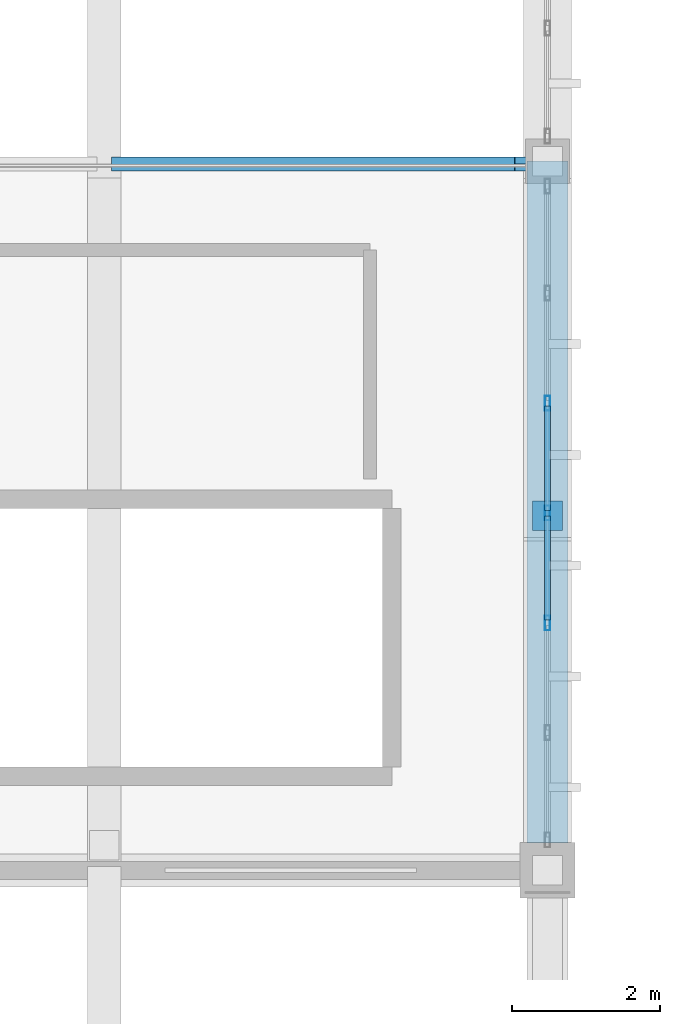
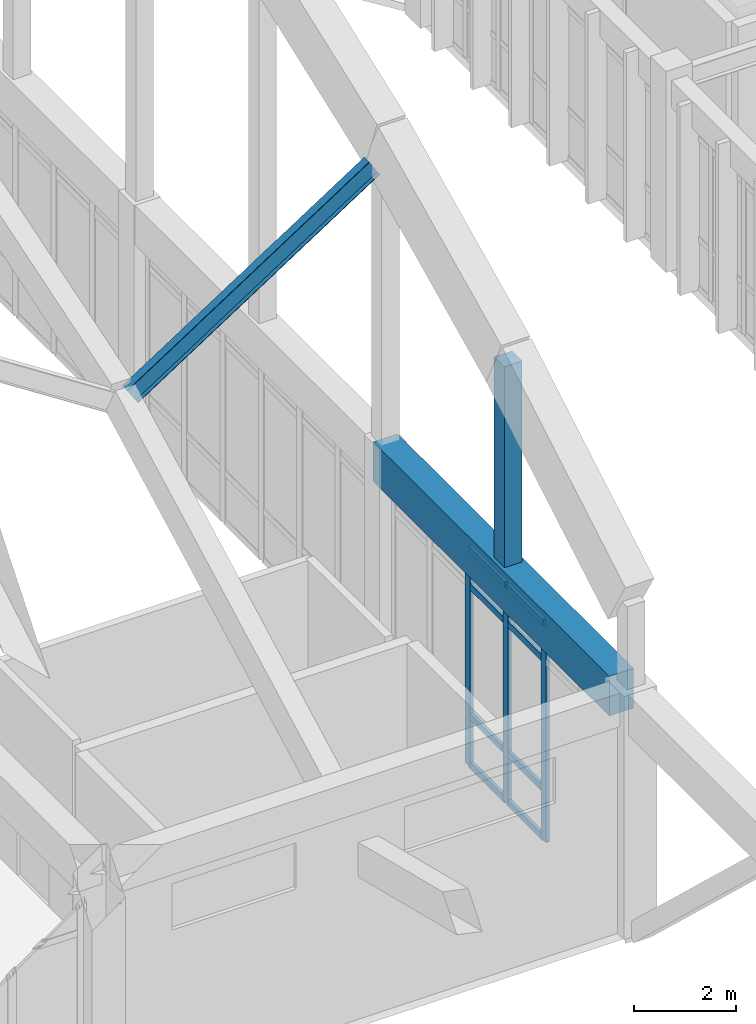
# One storey, part 127 of 236: 12 members, 2 beams, 1 element without a shape of its own.
"""IFC4 building model written with IfcOpenShell, lengths in metres."""

import ifcopenshell
import ifcopenshell.guid

model = None  # the IFC model being written
_history = None  # IfcOwnerHistory: only IFC2X3 demands one
_inside = {}  # id of a spatial element -> (the spatial element, [elements in it])
_under = {}  # id of a project, library or spatial element -> (it, [spatial elements below it])
_declared = {}  # id of a project -> (the project, [libraries it declares])
_typed = {}  # id of a type object -> (the type object, [elements of that type])
_made_of = {}  # id of a material, layer set ... -> (it, [elements and type objects made of it])


def new_model(schema):
    """Start an empty IFC model of exactly this schema.

    Asked for "IFC4X3", IfcOpenShell would pick the latest addendum, in which some entities
    have other attributes; the version numbers below select the first issue.
    IFC2X3 requires an IfcOwnerHistory on every rooted entity: one is made here for all.
    """
    global model, _history
    if schema == "IFC4X3":
        model = ifcopenshell.file(schema_version=(4, 3, 0, 0))
    else:
        model = ifcopenshell.file(schema=schema)
    _inside.clear()
    _under.clear()
    _declared.clear()
    _typed.clear()
    _made_of.clear()
    _history = None
    if model.schema == "IFC2X3":
        org = make("IfcOrganization", Name="unknown")
        user = make(
            "IfcPersonAndOrganization",
            ThePerson=make("IfcPerson", FamilyName="unknown"),
            TheOrganization=org,
        )
        app = make(
            "IfcApplication",
            ApplicationDeveloper=org,
            Version="unknown",
            ApplicationFullName="unknown",
            ApplicationIdentifier="unknown",
        )
        _history = make(
            "IfcOwnerHistory",
            OwningUser=user,
            OwningApplication=app,
            ChangeAction="ADDED",
            CreationDate=0,
        )
    return model


def make(cls, **values):
    """One entity of the class cls with the attributes given. An attribute that is None is left unset."""
    return model.create_entity(
        cls, **{name: value for name, value in values.items() if value is not None}
    )


def rooted(cls, **values):
    """An entity with a GlobalId (a new one), such as an element, a storey or a relation."""
    return make(cls, GlobalId=ifcopenshell.guid.new(), OwnerHistory=_history, **values)


def si_unit(unit_type, name, prefix=None):
    """IfcSIUnit, for example si_unit("LENGTHUNIT", "METRE", prefix="MILLI")."""
    return make("IfcSIUnit", UnitType=unit_type, Prefix=prefix, Name=name)


def assignment(units):
    """IfcUnitAssignment: the units of a project."""
    return None if units is None else make("IfcUnitAssignment", Units=units)


def point(xyz):
    """IfcCartesianPoint."""
    return None if xyz is None else make("IfcCartesianPoint", Coordinates=xyz)


def direction(xyz):
    """IfcDirection."""
    return None if xyz is None else make("IfcDirection", DirectionRatios=xyz)


def frame(location, z_axis=None, x_axis=None):
    """IfcAxis2Placement3D, a coordinate frame: its origin and axes. An axis left out is left unset."""
    return make(
        "IfcAxis2Placement3D",
        Location=point(location),
        Axis=direction(z_axis),
        RefDirection=direction(x_axis),
    )


def frame_2d(location, x_axis=None):
    """IfcAxis2Placement2D, a coordinate frame in the plane: its origin and x axis."""
    return make(
        "IfcAxis2Placement2D", Location=point(location), RefDirection=direction(x_axis)
    )


def origin():
    """The frame at (0, 0, 0) with its axes left unset."""
    return frame((0.0, 0.0, 0.0))


def origin_2d():
    """The frame at (0, 0) in the plane with its x axis left unset."""
    return frame_2d((0.0, 0.0))


def place(relative_to, where):
    """IfcLocalPlacement: puts the frame where relative to a parent placement (None: the world)."""
    return make(
        "IfcLocalPlacement", PlacementRelTo=relative_to, RelativePlacement=where
    )


def context(
    kind, dimensions, precision=None, world=None, true_north=None, identifier=None
):
    """IfcGeometricRepresentationContext, for example the 3D "Model" context."""
    return make(
        "IfcGeometricRepresentationContext",
        ContextIdentifier=identifier,
        ContextType=kind,
        CoordinateSpaceDimension=dimensions,
        Precision=precision,
        WorldCoordinateSystem=world,
        TrueNorth=true_north,
    )


def subcontext(parent, identifier, kind, view, scale=None):
    """IfcGeometricRepresentationSubContext, for example "Body" below "Model"."""
    return make(
        "IfcGeometricRepresentationSubContext",
        ContextIdentifier=identifier,
        ContextType=kind,
        ParentContext=parent,
        TargetScale=scale,
        TargetView=view,
    )


def project(units=None, contexts=None):
    """IfcProject with its units and contexts."""
    return rooted(
        "IfcProject",
        Name="project",
        RepresentationContexts=contexts,
        UnitsInContext=assignment(units),
    )


def spatial(cls, under=None, at=None, **own):
    """A site, building, storey or space (cls), placed at a placement, below another one or the project."""
    s = rooted(cls, ObjectPlacement=at, **own)
    if under is not None:
        _under.setdefault(under.id(), (under, []))[1].append(s)
    return s


def profile(cls, at=None, kind="AREA", **sizes):
    """A parametric profile (cls). Its sizes go by their IFC names, for example OverallWidth=200.0."""
    return make(cls, ProfileType=kind, Position=at, **sizes)


def rectangle(**sizes):
    """IfcRectangleProfileDef."""
    return profile("IfcRectangleProfileDef", **sizes)


def hollow_rectangle(**sizes):
    """IfcRectangleHollowProfileDef."""
    return profile("IfcRectangleHollowProfileDef", **sizes)


def i_section(**sizes):
    """IfcIShapeProfileDef."""
    return profile("IfcIShapeProfileDef", **sizes)


def extrude(swept, where, along, depth):
    """IfcExtrudedAreaSolid: the profile swept, set in the frame where, extruded along a direction by depth."""
    return make(
        "IfcExtrudedAreaSolid",
        SweptArea=swept,
        Position=where,
        ExtrudedDirection=direction(along),
        Depth=depth,
    )


def shape(context_of_items, identifier, shape_type, items):
    """IfcShapeRepresentation: the items that make up one representation, for example the "Body"."""
    return make(
        "IfcShapeRepresentation",
        ContextOfItems=context_of_items,
        RepresentationIdentifier=identifier,
        RepresentationType=shape_type,
        Items=items,
    )


def material(Name=None, Category=None):
    """IfcMaterial."""
    return make("IfcMaterial", Name=Name, Category=Category)


def layer(
    of_material, thickness, ventilated=None, Name=None, Category=None, Priority=None
):
    """IfcMaterialLayer: one layer of a wall or slab, of a material (None: an air gap)."""
    return make(
        "IfcMaterialLayer",
        Material=of_material,
        LayerThickness=thickness,
        IsVentilated=ventilated,
        Name=Name,
        Category=Category,
        Priority=Priority,
    )


def layer_set(layers, Name=None):
    """IfcMaterialLayerSet."""
    return make("IfcMaterialLayerSet", MaterialLayers=layers, LayerSetName=Name)


def material_profile(
    of_material, cross_section, Name=None, Category=None, Priority=None
):
    """IfcMaterialProfile: a cross section and its material."""
    return make(
        "IfcMaterialProfile",
        Name=Name,
        Material=of_material,
        Profile=cross_section,
        Priority=Priority,
        Category=Category,
    )


def profile_set(profiles, Name=None, composite=None):
    """IfcMaterialProfileSet."""
    return make(
        "IfcMaterialProfileSet",
        Name=Name,
        MaterialProfiles=profiles,
        CompositeProfile=composite,
    )


def made_of(thing, what):
    """Note that an element or type object is made of a material, layer set ...; save() writes the relation."""
    if what is not None:
        _made_of.setdefault(what.id(), (what, []))[1].append(thing)
    return thing


def type_object(cls, material=None, **own):
    """A type object (cls), such as IfcWallType, which elements share."""
    return made_of(rooted(cls, **own), material)


def element(
    cls,
    number,
    at=None,
    inside=None,
    cuts=None,
    type_object=None,
    material=None,
    context=None,
    identifier="Body",
    shape_type=None,
    held_by="IfcProductDefinitionShape",
    body=None,
    shapes=None,
    **own,
):
    """One element of the class cls, such as IfcWall. Its Tag is "e" and its number.

    at: its placement. inside: the storey or other place that contains it. cuts: it is an
    opening in that element (IfcRelVoidsElement). A single representation is given by context,
    identifier, shape_type and body (its items); several are given by shapes. held_by: the class
    of the entity that holds the representations. save() writes the other relations.
    """
    e = rooted(cls, Tag="e%d" % number, ObjectPlacement=at, **own)
    if body is not None:
        shapes = [shape(context, identifier, shape_type, body)]
    if shapes is not None:
        e.Representation = make(held_by, Representations=shapes)
    if inside is not None:
        _inside.setdefault(inside.id(), (inside, []))[1].append(e)
    if cuts is not None:
        rooted(
            "IfcRelVoidsElement", RelatingBuildingElement=cuts, RelatedOpeningElement=e
        )
    if type_object is not None:
        _typed.setdefault(type_object.id(), (type_object, []))[1].append(e)
    return made_of(e, material)


def aggregate(whole, parts):
    """IfcRelAggregates: a whole, such as a stair, and the parts it consists of."""
    return rooted("IfcRelAggregates", RelatingObject=whole, RelatedObjects=parts)


def save(model, path):
    """Write the relations noted so far, then the file.

    IfcRelAggregates (storeys below a building ...), IfcRelContainedInSpatialStructure (elements
    in a storey), IfcRelDefinesByType, IfcRelAssociatesMaterial and IfcRelDeclares: one each for
    every whole, place, type object, material and project.
    """
    for whole, parts in _under.values():
        aggregate(whole, parts)
    for where, things in _inside.values():
        rooted(
            "IfcRelContainedInSpatialStructure",
            RelatedElements=things,
            RelatingStructure=where,
        )
    for kind, things in _typed.values():
        rooted("IfcRelDefinesByType", RelatedObjects=things, RelatingType=kind)
    for what, things in _made_of.values():
        rooted("IfcRelAssociatesMaterial", RelatedObjects=things, RelatingMaterial=what)
    for by, libraries in _declared.values():
        rooted("IfcRelDeclares", RelatingContext=by, RelatedDefinitions=libraries)
    model.write(path)


model = new_model("IFC4")

# Units and contexts
model_context = context("Model", 3, precision=1e-05, world=origin(), true_north=direction((0.0, 1.0)))
body_context = subcontext(model_context, "Body", "Model", "MODEL_VIEW")
ifc_project = project(units=[si_unit("LENGTHUNIT", "METRE"), si_unit("AREAUNIT", "SQUARE_METRE"), si_unit("VOLUMEUNIT", "CUBIC_METRE"), si_unit("PLANEANGLEUNIT", "RADIAN"), si_unit("MASSUNIT", "GRAM", prefix="KILO")], contexts=[model_context])

# Site, building, storey
site_placement = place(None, origin())
site = spatial("IfcSite", under=ifc_project, at=site_placement, CompositionType="ELEMENT")
building_placement = place(site_placement, origin())
building = spatial("IfcBuilding", under=site, at=building_placement, Name="Pandanus Reach Market Hall", CompositionType="ELEMENT")
storey_placement = place(building_placement, frame((0.0, 0.0, 5.39990234375)))
storey = spatial("IfcBuildingStorey", under=building, at=storey_placement, Name="L01", CompositionType="ELEMENT", Elevation=5.39990234375)

# Member
ifc_material_1 = material(Name="Concrete N50 (50 MPa)", Category="concrete")
ifc_material_profile_1 = material_profile(ifc_material_1, rectangle(XDim=0.39990234375, YDim=0.39990234375, at=origin_2d()), Name="RC400x400", Category="LoadBearing")
ifc_profile_set_1 = profile_set([ifc_material_profile_1], Name="Concrete N50 (50 MPa)")
member_type_1 = type_object("IfcMemberType", Name="AR-WEB400-E", PredefinedType="STRUT", material=ifc_profile_set_1)
member_1_placement = place(storey_placement, frame((132.0, 33.60009765625, 5.3251953125), z_axis=(0.0, 0.0, 1.0), x_axis=(1.0, 0.0, 0.0)))
element("IfcMember", 1, at=member_1_placement, inside=storey, type_object=member_type_1, Name="Arch truss vertical web strut A8.1", PredefinedType="STRUT", context=body_context, shape_type="SweptSolid", body=[
    extrude(rectangle(XDim=0.39990234375, YDim=0.39990234375, at=origin_2d()), origin(), (0.0, 0.0, 1.0), 5.26611328125),
])

# Beams
ifc_material_profile_2 = material_profile(ifc_material_1, rectangle(XDim=0.550048828125, YDim=0.949951171875, at=origin_2d()), Name="RC550x950", Category="LoadBearing")
ifc_profile_set_2 = profile_set([ifc_material_profile_2], Name="Concrete N50 (50 MPa)")
beam_type_1 = type_object("IfcBeamType", Name="BM-RC550-E", PredefinedType="BEAM", material=ifc_profile_set_2)
beam_1_placement = place(storey_placement, frame((132.0, 29.173095703125, 5.3251953125), z_axis=(0.0, 1.0, 0.0), x_axis=(-1.0, 0.0, 0.0)))
element("IfcBeam", 2, at=beam_1_placement, inside=storey, type_object=beam_type_1, Name="Parabolic arch tie girder A8.1", PredefinedType="BEAM", context=body_context, shape_type="SweptSolid", body=[
    extrude(rectangle(XDim=0.550048828125, YDim=0.949951171875, at=origin_2d()), origin(), (0.0, 0.0, 1.0), 9.226806640625),
])
ifc_material_2 = material(Name="Steel Grade 350 (350 MPa)", Category="steel")
ifc_material_profile_3 = material_profile(ifc_material_2, i_section(OverallWidth=0.18994140625, OverallDepth=0.45703125, WebThickness=0.009033203125, FlangeThickness=0.014404296875, at=origin_2d()), Name="460UB74.6", Category="LoadBearing")
ifc_profile_set_3 = profile_set([ifc_material_profile_3], Name="Steel Grade 350 (350 MPa)")
beam_type_2 = type_object("IfcBeamType", Name="BM-UB460-I", PredefinedType="BEAM", material=ifc_profile_set_3)
beam_2_placement = place(storey_placement, frame((126.219970703125, 38.360107421875, 8.88427734375), z_axis=(0.839070527962, 0.0, 0.544022654956), x_axis=(0.0, 1.0, 0.0)))
element("IfcBeam", 3, at=beam_2_placement, inside=storey, type_object=beam_type_2, Name="Butterfly transverse rib B7.2R", PredefinedType="BEAM", context=body_context, shape_type="SweptSolid", body=[
    extrude(i_section(OverallWidth=0.18994140625, OverallDepth=0.45703125, WebThickness=0.009033203125, FlangeThickness=0.014404296875, at=origin_2d()), origin(), (0.0, 0.0, 1.0), 6.507080078125),
])

# Curtain wall, members
ifc_material_3 = material(Name="Bronze anodised aluminium and low-E glass", Category="aluminium")
ifc_layer = layer(ifc_material_3, 0.199951171875, Name="CW-04")
ifc_layer_set = layer_set([ifc_layer], Name="Bronze anodised aluminium and low-E glass")
curtain_wall_type = type_object("IfcCurtainWallType", Name="CW-04", PredefinedType="NOTDEFINED", material=ifc_layer_set)
curtain_wall_placement = place(storey_placement, origin())
curtain_wall = element("IfcCurtainWall", 4, at=curtain_wall_placement, inside=storey, type_object=curtain_wall_type, Name="Glazed curtain wall CW-04 CW-0021", PredefinedType="NOTDEFINED")
ifc_material_4 = material(Name="Bronze anodised aluminium", Category="aluminium")
ifc_material_profile_4 = material_profile(ifc_material_4, hollow_rectangle(XDim=0.074951171875, YDim=0.199951171875, WallThickness=0.00439453125, at=origin_2d()), Name="ALU75x200", Category="LoadBearing")
ifc_profile_set_4 = profile_set([ifc_material_profile_4], Name="Bronze anodised aluminium")
member_type_2 = type_object("IfcMemberType", Name="CW-M2", PredefinedType="MULLION", material=ifc_profile_set_4)
member_2_placement = place(storey_placement, frame((132.0, 32.14990234375, 0.0), z_axis=(0.0, 0.0, 1.0), x_axis=(-1.0, 0.0, 0.0)))
member_2 = element("IfcMember", 5, at=member_2_placement, type_object=member_type_2, Name="CW-04 mullion 3", PredefinedType="MULLION", context=body_context, shape_type="SweptSolid", body=[
    extrude(hollow_rectangle(XDim=0.074951171875, YDim=0.199951171875, WallThickness=0.00439453125, at=origin_2d()), origin(), (0.0, 0.0, 1.0), 5.2001953125),
])
member_3_placement = place(storey_placement, frame((132.0, 33.637451171875, 0.0), z_axis=(0.0, 0.0, 1.0), x_axis=(-1.0, 0.0, 0.0)))
member_3 = element("IfcMember", 6, at=member_3_placement, type_object=member_type_2, Name="CW-04 mullion 4", PredefinedType="MULLION", context=body_context, shape_type="SweptSolid", body=[
    extrude(hollow_rectangle(XDim=0.074951171875, YDim=0.199951171875, WallThickness=0.00439453125, at=origin_2d()), origin(), (0.0, 0.0, 1.0), 5.2001953125),
])
member_4_placement = place(storey_placement, frame((132.0, 35.125, 0.0), z_axis=(0.0, 0.0, 1.0), x_axis=(-1.0, 0.0, 0.0)))
member_4 = element("IfcMember", 7, at=member_4_placement, type_object=member_type_2, Name="CW-04 mullion 5", PredefinedType="MULLION", context=body_context, shape_type="SweptSolid", body=[
    extrude(hollow_rectangle(XDim=0.074951171875, YDim=0.199951171875, WallThickness=0.00439453125, at=origin_2d()), origin(), (0.0, 0.0, 1.0), 5.2001953125),
])
ifc_material_profile_5 = material_profile(ifc_material_4, hollow_rectangle(XDim=0.074951171875, YDim=0.14990234375, WallThickness=0.00439453125, at=origin_2d()), Name="ALU75x150", Category="LoadBearing")
ifc_profile_set_5 = profile_set([ifc_material_profile_5], Name="Bronze anodised aluminium")
member_type_3 = type_object("IfcMemberType", Name="CW-T2", PredefinedType="USERDEFINED", material=ifc_profile_set_5)
member_5_placement = place(storey_placement, frame((132.0, 32.1875, 0.03759765625), z_axis=(0.0, 1.0, 0.0), x_axis=(-1.0, 0.0, 0.0)))
member_5 = element("IfcMember", 8, at=member_5_placement, type_object=member_type_3, Name="CW-04 transom 3.1", ObjectType="TRANSOM", PredefinedType="USERDEFINED", context=body_context, shape_type="SweptSolid", body=[
    extrude(hollow_rectangle(XDim=0.074951171875, YDim=0.14990234375, WallThickness=0.00439453125, at=origin_2d()), origin(), (0.0, 0.0, 1.0), 1.41259765625),
])
member_6_placement = place(storey_placement, frame((132.0, 32.1875, 1.2001953125), z_axis=(0.0, 1.0, 0.0), x_axis=(-1.0, 0.0, 0.0)))
member_6 = element("IfcMember", 9, at=member_6_placement, type_object=member_type_3, Name="CW-04 transom 3.2", ObjectType="TRANSOM", PredefinedType="USERDEFINED", context=body_context, shape_type="SweptSolid", body=[
    extrude(hollow_rectangle(XDim=0.074951171875, YDim=0.14990234375, WallThickness=0.00439453125, at=origin_2d()), origin(), (0.0, 0.0, 1.0), 1.41259765625),
])
member_7_placement = place(storey_placement, frame((132.0, 32.1875, 4.300048828125), z_axis=(0.0, 1.0, 0.0), x_axis=(-1.0, 0.0, 0.0)))
member_7 = element("IfcMember", 10, at=member_7_placement, type_object=member_type_3, Name="CW-04 transom 3.3", ObjectType="TRANSOM", PredefinedType="USERDEFINED", context=body_context, shape_type="SweptSolid", body=[
    extrude(hollow_rectangle(XDim=0.074951171875, YDim=0.14990234375, WallThickness=0.00439453125, at=origin_2d()), origin(), (0.0, 0.0, 1.0), 1.41259765625),
])
member_8_placement = place(storey_placement, frame((132.0, 32.1875, 5.16259765625), z_axis=(0.0, 1.0, 0.0), x_axis=(-1.0, 0.0, 0.0)))
member_8 = element("IfcMember", 11, at=member_8_placement, type_object=member_type_3, Name="CW-04 transom 3.4", ObjectType="TRANSOM", PredefinedType="USERDEFINED", context=body_context, shape_type="SweptSolid", body=[
    extrude(hollow_rectangle(XDim=0.074951171875, YDim=0.14990234375, WallThickness=0.00439453125, at=origin_2d()), origin(), (0.0, 0.0, 1.0), 1.41259765625),
])
member_9_placement = place(storey_placement, frame((132.0, 33.675048828125, 0.03759765625), z_axis=(0.0, 1.0, 0.0), x_axis=(-1.0, 0.0, 0.0)))
member_9 = element("IfcMember", 12, at=member_9_placement, type_object=member_type_3, Name="CW-04 transom 4.1", ObjectType="TRANSOM", PredefinedType="USERDEFINED", context=body_context, shape_type="SweptSolid", body=[
    extrude(hollow_rectangle(XDim=0.074951171875, YDim=0.14990234375, WallThickness=0.00439453125, at=origin_2d()), origin(), (0.0, 0.0, 1.0), 1.412353515625),
])
member_10_placement = place(storey_placement, frame((132.0, 33.675048828125, 1.2001953125), z_axis=(0.0, 1.0, 0.0), x_axis=(-1.0, 0.0, 0.0)))
member_10 = element("IfcMember", 13, at=member_10_placement, type_object=member_type_3, Name="CW-04 transom 4.2", ObjectType="TRANSOM", PredefinedType="USERDEFINED", context=body_context, shape_type="SweptSolid", body=[
    extrude(hollow_rectangle(XDim=0.074951171875, YDim=0.14990234375, WallThickness=0.00439453125, at=origin_2d()), origin(), (0.0, 0.0, 1.0), 1.412353515625),
])
member_11_placement = place(storey_placement, frame((132.0, 33.675048828125, 4.300048828125), z_axis=(0.0, 1.0, 0.0), x_axis=(-1.0, 0.0, 0.0)))
member_11 = element("IfcMember", 14, at=member_11_placement, type_object=member_type_3, Name="CW-04 transom 4.3", ObjectType="TRANSOM", PredefinedType="USERDEFINED", context=body_context, shape_type="SweptSolid", body=[
    extrude(hollow_rectangle(XDim=0.074951171875, YDim=0.14990234375, WallThickness=0.00439453125, at=origin_2d()), origin(), (0.0, 0.0, 1.0), 1.412353515625),
])
member_12_placement = place(storey_placement, frame((132.0, 33.675048828125, 5.16259765625), z_axis=(0.0, 1.0, 0.0), x_axis=(-1.0, 0.0, 0.0)))
member_12 = element("IfcMember", 15, at=member_12_placement, type_object=member_type_3, Name="CW-04 transom 4.4", ObjectType="TRANSOM", PredefinedType="USERDEFINED", context=body_context, shape_type="SweptSolid", body=[
    extrude(hollow_rectangle(XDim=0.074951171875, YDim=0.14990234375, WallThickness=0.00439453125, at=origin_2d()), origin(), (0.0, 0.0, 1.0), 1.412353515625),
])
aggregate(curtain_wall, [member_2, member_3, member_4, member_5, member_6, member_7, member_8, member_9, member_10, member_11, member_12])

save(model, "model.ifc")
